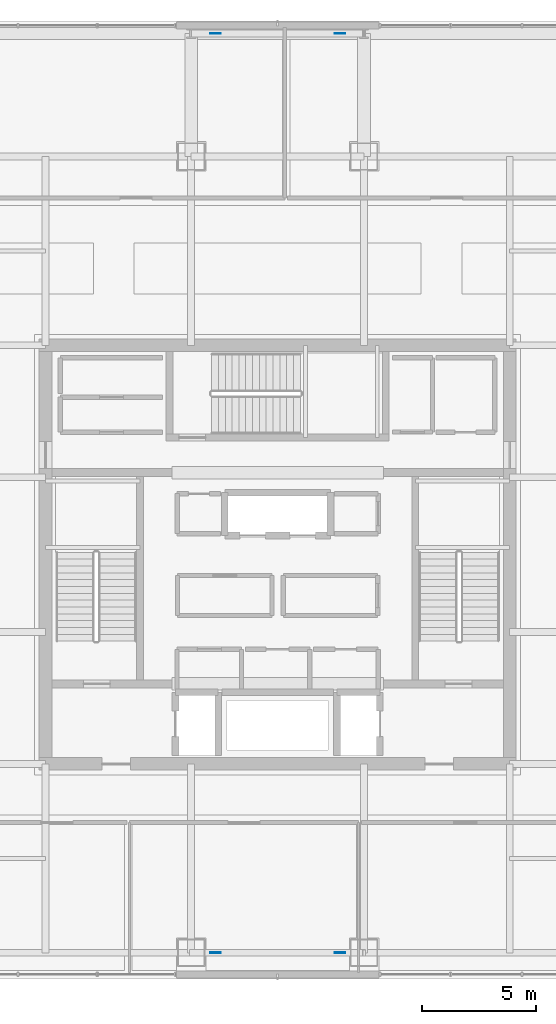
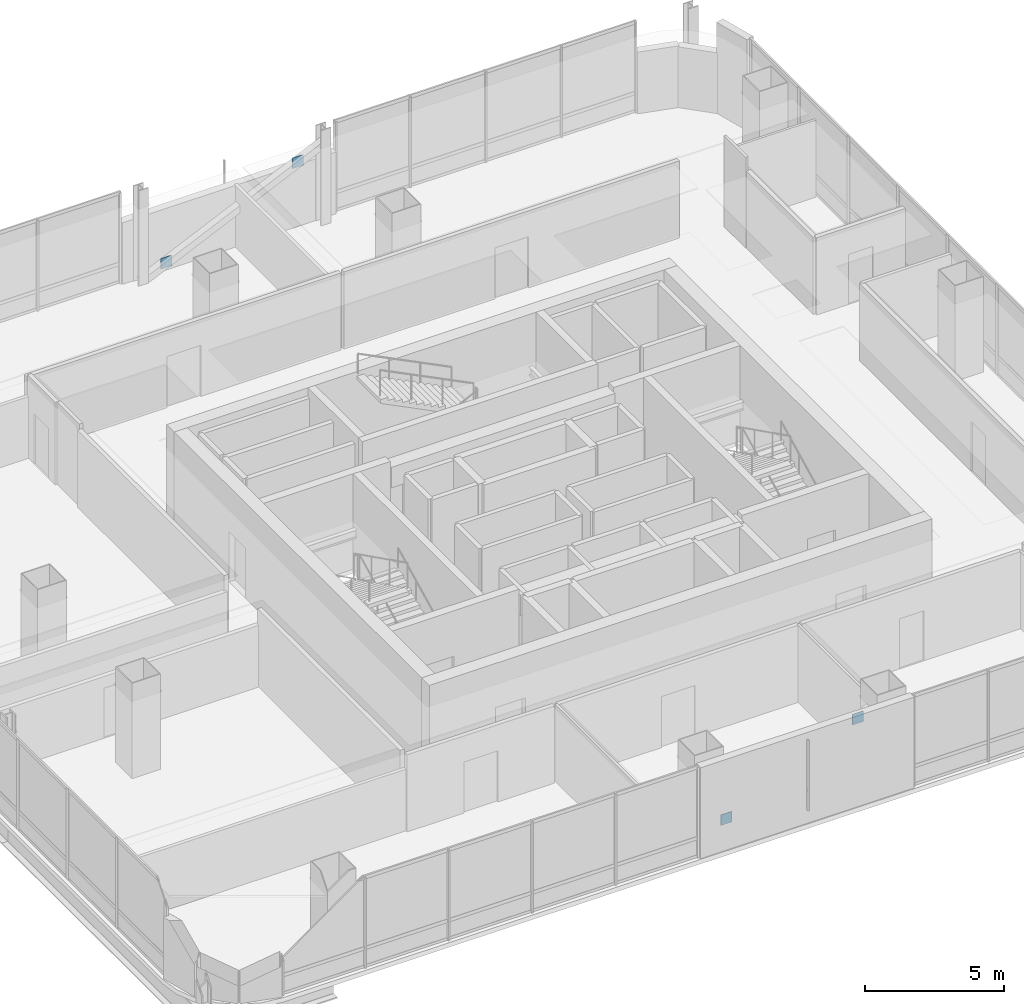
# One storey, part 31 of 43: 4 plates.
"""IFC4 building model written with IfcOpenShell, lengths in metres."""

from ifc_helpers import new_model, si_unit, direction, frame, origin, origin_2d, place, context, subcontext, project, spatial, rectangle, extrude, material, layer, layer_set, type_object, element, save


model = new_model("IFC4")

# Units and contexts
model_context = context("Model", 3, precision=1e-05, world=origin(), true_north=direction((0.0, 1.0)))
body_context = subcontext(model_context, "Body", "Model", "MODEL_VIEW")
ifc_project = project(units=[si_unit("LENGTHUNIT", "METRE"), si_unit("AREAUNIT", "SQUARE_METRE"), si_unit("VOLUMEUNIT", "CUBIC_METRE"), si_unit("PLANEANGLEUNIT", "RADIAN"), si_unit("MASSUNIT", "GRAM", prefix="KILO")], contexts=[model_context])

# Site, building, storey
site_placement = place(None, origin())
site = spatial("IfcSite", under=ifc_project, at=site_placement, CompositionType="ELEMENT")
building_placement = place(site_placement, origin())
building = spatial("IfcBuilding", under=site, at=building_placement, Name="Punatoya Terracotta Tower", CompositionType="ELEMENT")
storey_placement = place(building_placement, frame((0.0, 0.0, 300.60009765625)))
storey = spatial("IfcBuildingStorey", under=building, at=storey_placement, Name="L71", CompositionType="ELEMENT", Elevation=300.60009765625)

# Plates
ifc_material = material(Name="Steel S460", Category="steel")
ifc_layer = layer(ifc_material, 0.031982421875)
ifc_layer_set = layer_set([ifc_layer], Name="Steel S460")
plate_type = type_object("IfcPlateType", Name="PLT-END-32", PredefinedType="USERDEFINED", material=ifc_layer_set)
for number, where, z_axis, x_axis, name in (
    (1, (-2.736083984375, -17.5, 0.277099609375), (0.0, 0.0, 1.0), (1.0, 0.0, 0.0), "L71 Wind Brace S2 End Plate 1"),
    (2, (2.736083984375, -17.5, 2.78271484375), (0.0, 0.0, 1.0), (1.0, 0.0, 0.0), "L71 Wind Brace S2 End Plate 2"),
    (3, (-2.736083984375, 22.89990234375, 0.277099609375), (0.0, 0.0, 1.0), (1.0, 0.0, 0.0), "L71 Wind Brace N2 End Plate 1"),
    (4, (2.736083984375, 22.89990234375, 2.78271484375), (0.0, 0.0, 1.0), (1.0, 0.0, 0.0), "L71 Wind Brace N2 End Plate 2"),
):
    element("IfcPlate", number, at=place(storey_placement, frame(where, z_axis=z_axis, x_axis=x_axis)), inside=storey, type_object=plate_type, Name=name, ObjectType="FLANGE_PLATE", PredefinedType="USERDEFINED", context=body_context, shape_type="SweptSolid", body=[
        extrude(rectangle(XDim=0.4599609375, YDim=0.031982421875, at=origin_2d()), origin(), (0.0, 0.0, 1.0), 0.4599609375),
    ])

save(model, "model.ifc")
